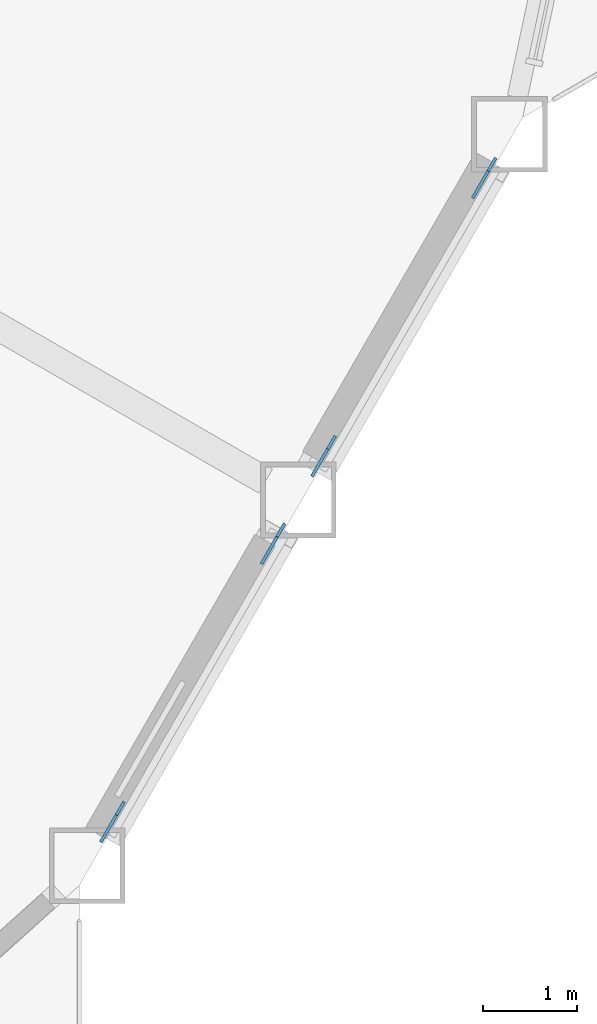
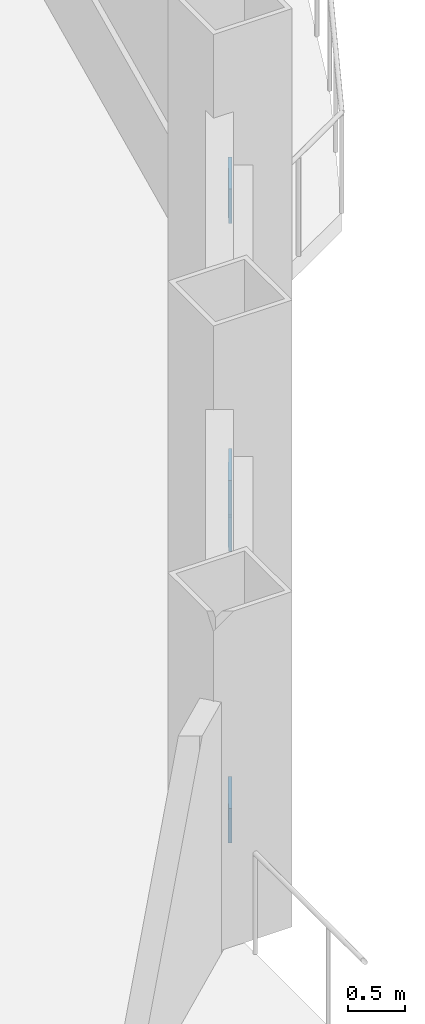
# One storey, part 18 of 24: 4 discrete accessories.
"""IFC4 building model written with IfcOpenShell, lengths in metres."""

from ifc_helpers import new_model, si_unit, direction, frame, origin, origin_2d, place, context, subcontext, project, spatial, rectangle, extrude, material, material_profile, profile_set, type_object, element, save


model = new_model("IFC4")

# Units and contexts
model_context = context("Model", 3, precision=1e-05, world=origin(), true_north=direction((0.0, 1.0)))
body_context = subcontext(model_context, "Body", "Model", "MODEL_VIEW")
ifc_project = project(units=[si_unit("LENGTHUNIT", "METRE"), si_unit("AREAUNIT", "SQUARE_METRE"), si_unit("VOLUMEUNIT", "CUBIC_METRE"), si_unit("PLANEANGLEUNIT", "RADIAN"), si_unit("MASSUNIT", "GRAM", prefix="KILO")], contexts=[model_context])

# Site, building, storey
site_placement = place(None, origin())
site = spatial("IfcSite", under=ifc_project, at=site_placement, CompositionType="ELEMENT")
building_placement = place(site_placement, origin())
building = spatial("IfcBuilding", under=site, at=building_placement, Name="Cormorant Prow Tower", CompositionType="ELEMENT")
storey_placement = place(building_placement, frame((0.0, 0.0, 205.199951171875)))
storey = spatial("IfcBuildingStorey", under=building, at=storey_placement, Name="L45", CompositionType="ELEMENT", Elevation=205.199951171875)

# Discrete accessories
ifc_material = material(Name="Structural steel ASTM A500 Gr C", Category="steel")
ifc_material_profile = material_profile(ifc_material, rectangle(XDim=0.031982421875, YDim=0.506103515625, at=origin_2d()), Name="Gusset plate 32x506")
ifc_profile_set = profile_set([ifc_material_profile], Name="Structural steel ASTM A500 Gr C")
discrete_accessory_type = type_object("IfcDiscreteAccessoryType", Name="Gusset plate 32x506", PredefinedType="BRACKET", material=ifc_profile_set)
for number, where, z_axis, x_axis, name in (
    (1, (26.17431640625, -19.463623046875, 0.835693359375), (-0.473631655621, -0.821008039272, -0.31877712315), (0.866197837791, -0.499701216534, 0.0), "Gusset plate GP2 L45.ESE00.g0"),
    (2, (27.7080078125, -16.807373046875, 1.865478515625), (0.4742777402, 0.820918970906, 0.31804507284), (-0.86587923604, 0.500253084543, 0.0), "Gusset plate GP2 L45.ESE00.g1"),
    (3, (28.40966796875, -15.59228515625, 0.835693359375), (-0.474172452765, -0.820736730742, -0.318671780755), (0.86587923604, -0.500253084543, 0.0), "Gusset plate GP2 L45.ESE01.g0"),
):
    element("IfcDiscreteAccessory", number, at=place(storey_placement, frame(where, z_axis=z_axis, x_axis=x_axis)), inside=storey, type_object=discrete_accessory_type, Name=name, PredefinedType="BRACKET", context=body_context, shape_type="SweptSolid", body=[
        extrude(rectangle(XDim=0.031982421875, YDim=0.506103515625, at=origin_2d()), origin(), (0.0, 0.0, 1.0), 0.35009765625),
    ])
discrete_accessory_placement = place(storey_placement, frame((29.943359375, -12.935791015625, 1.865478515625), z_axis=(0.47373689254, 0.821190460264, 0.318150254784), x_axis=(-0.866197837791, 0.499701216534, 0.0)))
element("IfcDiscreteAccessory", 4, at=discrete_accessory_placement, inside=storey, type_object=discrete_accessory_type, Name="Gusset plate GP2 L45.ESE01.g1", PredefinedType="BRACKET", context=body_context, shape_type="SweptSolid", body=[
    extrude(rectangle(XDim=0.031982421875, YDim=0.506103515625, at=origin_2d()), origin(), (0.0, 0.0, 1.0), 0.349853515625),
])

save(model, "model.ifc")
